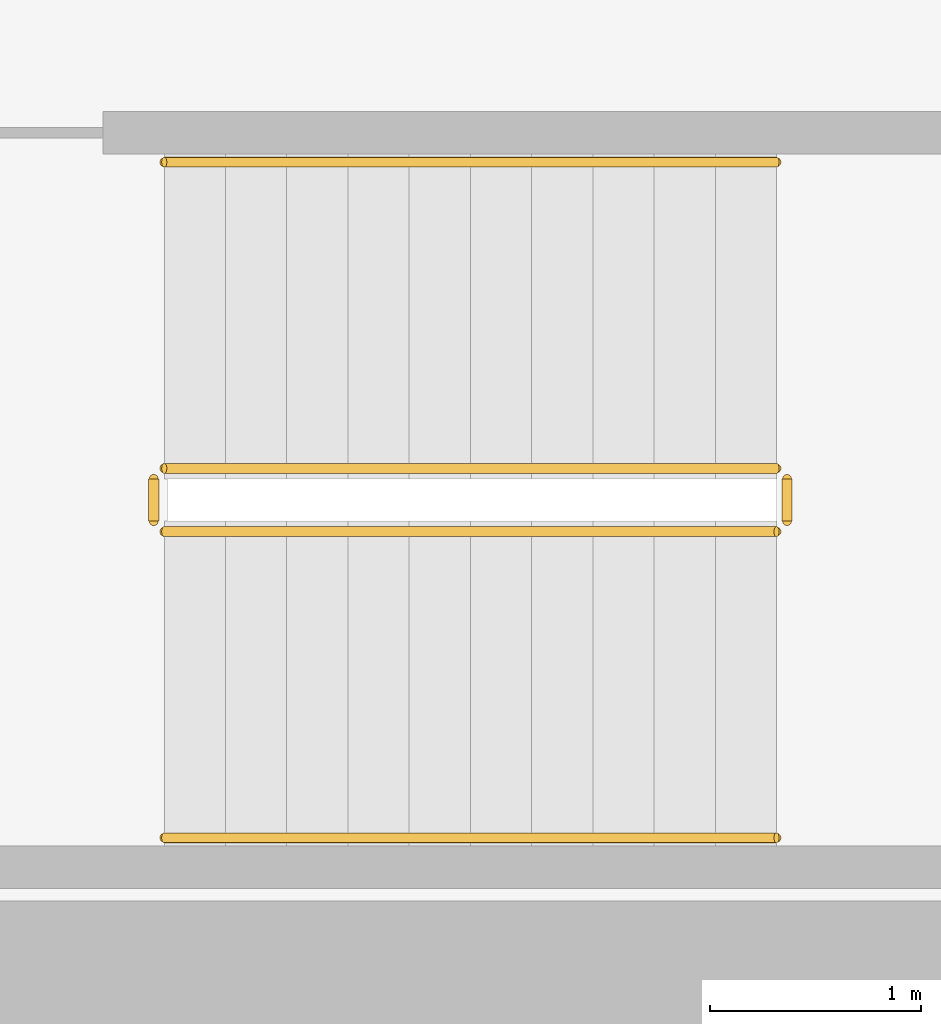
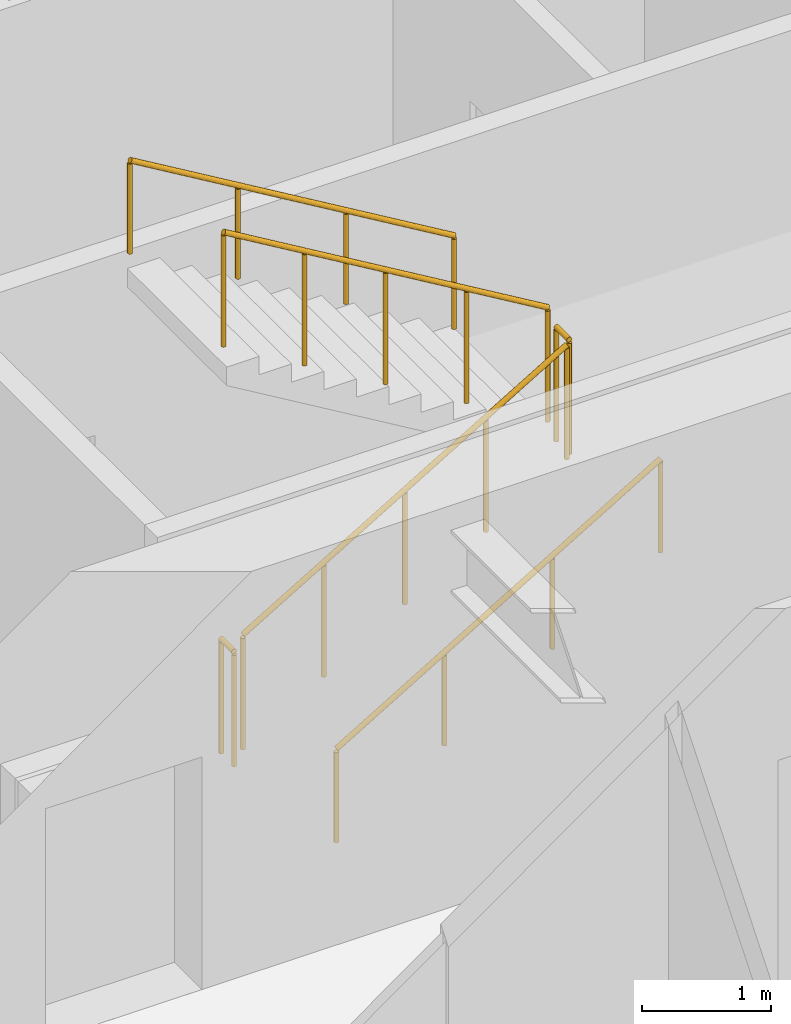
# One storey, part 19 of 20: 6 railings.
"""IFC4 building model written with IfcOpenShell, lengths in metres."""

from ifc_helpers import new_model, si_unit, direction, frame, origin, origin_2d, place, context, subcontext, project, spatial, circle, extrude, material, type_object, element, save


model = new_model("IFC4")

# Units and contexts
model_context = context("Model", 3, precision=1e-05, world=origin(), true_north=direction((0.0, 1.0)))
body_context = subcontext(model_context, "Body", "Model", "MODEL_VIEW")
ifc_project = project(units=[si_unit("LENGTHUNIT", "METRE"), si_unit("AREAUNIT", "SQUARE_METRE"), si_unit("VOLUMEUNIT", "CUBIC_METRE"), si_unit("PLANEANGLEUNIT", "RADIAN"), si_unit("MASSUNIT", "GRAM", prefix="KILO")], contexts=[model_context])

# Site, building, storey
site_placement = place(None, origin())
site = spatial("IfcSite", under=ifc_project, at=site_placement, CompositionType="ELEMENT")
building_placement = place(site_placement, origin())
building = spatial("IfcBuilding", under=site, at=building_placement, Name="Putna Gate Headquarters", CompositionType="ELEMENT")
storey_placement = place(building_placement, frame((0.0, 0.0, 101.199951171875)))
storey = spatial("IfcBuildingStorey", under=building, at=storey_placement, Name="L24", CompositionType="ELEMENT", Elevation=101.199951171875)

# Railings
ifc_material_1 = material(Name="Powder-coated steel stair guardrail", Category="steel")
railing_type_1 = type_object("IfcRailingType", Name="RAIL-STAIR-GUARD-1100", PredefinedType="GUARDRAIL", material=ifc_material_1)
railing_1_placement = place(storey_placement, frame((57.89990234375, 21.10009765625, 0.1728515625)))
element("IfcRailing", 1, at=railing_1_placement, inside=storey, type_object=railing_type_1, Name="L24 ST2 stair guard 1", PredefinedType="GUARDRAIL", context=body_context, shape_type="SweptSolid", body=[
    extrude(circle(Radius=0.02392578125, at=origin_2d()), frame((0.0, 0.0, 1.076171875), z_axis=(0.859160404282, 0.0, 0.51170636083), x_axis=(0.0, 1.0, 0.0)), (0.0, 0.0, 1.0), 3.37548828125),
    extrude(circle(Radius=0.02099609375, at=origin_2d()), origin(), (0.0, 0.0, 1.0), 1.052001953125),
    extrude(circle(Radius=0.02099609375, at=origin_2d()), frame((0.72509765625, 0.0, 0.431884765625)), (0.0, 0.0, 1.0), 1.052001953125),
    extrude(circle(Radius=0.02099609375, at=origin_2d()), frame((1.4501953125, 0.0, 0.86376953125)), (0.0, 0.0, 1.0), 1.052001953125),
    extrude(circle(Radius=0.02099609375, at=origin_2d()), frame((2.175048828125, 0.0, 1.29541015625)), (0.0, 0.0, 1.0), 1.052001953125),
    extrude(circle(Radius=0.02099609375, at=origin_2d()), frame((2.900146484375, 0.0, 1.727294921875)), (0.0, 0.0, 1.0), 1.052001953125),
])
railing_2_placement = place(storey_placement, frame((60.85009765625, 21.14990234375, 1.900146484375)))
element("IfcRailing", 2, at=railing_2_placement, inside=storey, type_object=railing_type_1, Name="L24 ST2 stair guard 2", PredefinedType="GUARDRAIL", context=body_context, shape_type="SweptSolid", body=[
    extrude(circle(Radius=0.02392578125, at=origin_2d()), frame((0.0, 0.0, 1.076171875), z_axis=(0.0, 1.0, 0.0), x_axis=(-1.0, 0.0, 0.0)), (0.0, 0.0, 1.0), 0.2001953125),
    extrude(circle(Radius=0.02099609375, at=origin_2d()), origin(), (0.0, 0.0, 1.0), 1.052001953125),
    extrude(circle(Radius=0.02099609375, at=origin_2d()), frame((0.0, 0.2001953125, 0.0)), (0.0, 0.0, 1.0), 1.052001953125),
])
railing_3_placement = place(storey_placement, frame((60.800048828125, 21.39990234375, 2.07275390625)))
element("IfcRailing", 3, at=railing_3_placement, inside=storey, type_object=railing_type_1, Name="L24 ST2 stair guard 3", PredefinedType="GUARDRAIL", context=body_context, shape_type="SweptSolid", body=[
    extrude(circle(Radius=0.02392578125, at=origin_2d()), frame((0.0, 0.0, 1.076171875), z_axis=(-0.859160404282, 0.0, 0.51170636083), x_axis=(0.0, -1.0, 0.0)), (0.0, 0.0, 1.0), 3.37548828125),
    extrude(circle(Radius=0.02099609375, at=origin_2d()), origin(), (0.0, 0.0, 1.0), 1.052001953125),
    extrude(circle(Radius=0.02099609375, at=origin_2d()), frame((-0.72509765625, 0.0, 0.431884765625)), (0.0, 0.0, 1.0), 1.052001953125),
    extrude(circle(Radius=0.02099609375, at=origin_2d()), frame((-1.4501953125, 0.0, 0.86376953125)), (0.0, 0.0, 1.0), 1.052001953125),
    extrude(circle(Radius=0.02099609375, at=origin_2d()), frame((-2.175048828125, 0.0, 1.29541015625)), (0.0, 0.0, 1.0), 1.052001953125),
    extrude(circle(Radius=0.02099609375, at=origin_2d()), frame((-2.900146484375, 0.0, 1.727294921875)), (0.0, 0.0, 1.0), 1.052001953125),
])
railing_4_placement = place(storey_placement, frame((57.85009765625, 21.14990234375, 0.0)))
element("IfcRailing", 4, at=railing_4_placement, inside=storey, type_object=railing_type_1, Name="L24 ST2 stair guard 4", PredefinedType="GUARDRAIL", context=body_context, shape_type="SweptSolid", body=[
    extrude(circle(Radius=0.02392578125, at=origin_2d()), frame((0.0, 0.0, 1.076171875), z_axis=(0.0, 1.0, 0.0), x_axis=(-1.0, 0.0, 0.0)), (0.0, 0.0, 1.0), 0.2001953125),
    extrude(circle(Radius=0.02099609375, at=origin_2d()), origin(), (0.0, 0.0, 1.0), 1.052001953125),
    extrude(circle(Radius=0.02099609375, at=origin_2d()), frame((0.0, 0.2001953125, 0.0)), (0.0, 0.0, 1.0), 1.052001953125),
])
ifc_material_2 = material(Name="Brushed stainless steel handrail", Category="steel")
railing_type_2 = type_object("IfcRailingType", Name="RAIL-STAIR-HAND-900", PredefinedType="HANDRAIL", material=ifc_material_2)
railing_5_placement = place(storey_placement, frame((57.89990234375, 19.64990234375, 0.1728515625)))
element("IfcRailing", 5, at=railing_5_placement, inside=storey, type_object=railing_type_2, Name="L24 ST2 stair handrail 1", PredefinedType="HANDRAIL", context=body_context, shape_type="SweptSolid", body=[
    extrude(circle(Radius=0.02392578125, at=origin_2d()), frame((0.0, 0.0, 0.8759765625), z_axis=(0.859160404282, 0.0, 0.51170636083), x_axis=(0.0, 1.0, 0.0)), (0.0, 0.0, 1.0), 3.37548828125),
    extrude(circle(Radius=0.02099609375, at=origin_2d()), origin(), (0.0, 0.0, 1.0), 0.851806640625),
    extrude(circle(Radius=0.02099609375, at=origin_2d()), frame((0.966796875, 0.0, 0.57568359375)), (0.0, 0.0, 1.0), 0.851806640625),
    extrude(circle(Radius=0.02099609375, at=origin_2d()), frame((1.933349609375, 0.0, 1.151611328125)), (0.0, 0.0, 1.0), 0.851806640625),
    extrude(circle(Radius=0.02099609375, at=origin_2d()), frame((2.900146484375, 0.0, 1.727294921875)), (0.0, 0.0, 1.0), 0.851806640625),
])
railing_6_placement = place(storey_placement, frame((60.800048828125, 22.85009765625, 2.07275390625)))
element("IfcRailing", 6, at=railing_6_placement, inside=storey, type_object=railing_type_2, Name="L24 ST2 stair handrail 2", PredefinedType="HANDRAIL", context=body_context, shape_type="SweptSolid", body=[
    extrude(circle(Radius=0.02392578125, at=origin_2d()), frame((0.0, 0.0, 0.8759765625), z_axis=(-0.859160404282, 0.0, 0.51170636083), x_axis=(0.0, -1.0, 0.0)), (0.0, 0.0, 1.0), 3.37548828125),
    extrude(circle(Radius=0.02099609375, at=origin_2d()), origin(), (0.0, 0.0, 1.0), 0.851806640625),
    extrude(circle(Radius=0.02099609375, at=origin_2d()), frame((-0.966796875, 0.0, 0.57568359375)), (0.0, 0.0, 1.0), 0.851806640625),
    extrude(circle(Radius=0.02099609375, at=origin_2d()), frame((-1.933349609375, 0.0, 1.151611328125)), (0.0, 0.0, 1.0), 0.851806640625),
    extrude(circle(Radius=0.02099609375, at=origin_2d()), frame((-2.900146484375, 0.0, 1.727294921875)), (0.0, 0.0, 1.0), 0.851806640625),
])

save(model, "model.ifc")
